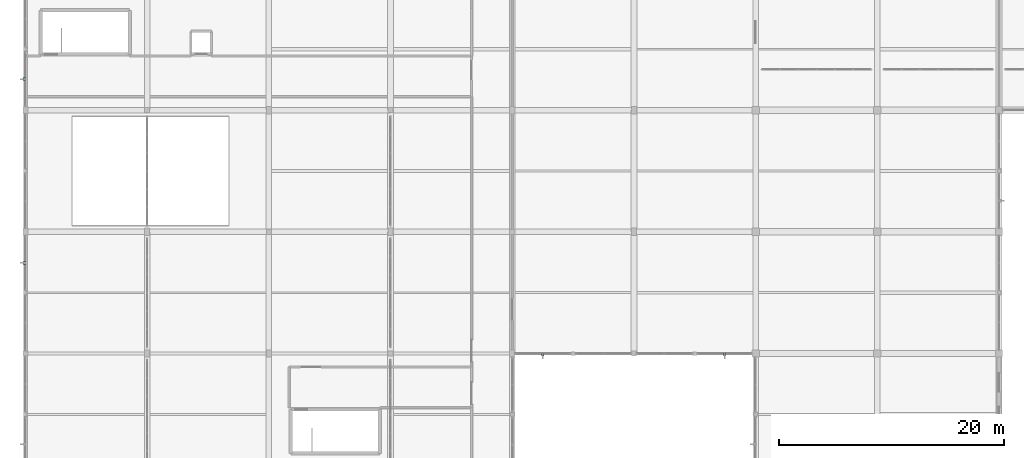
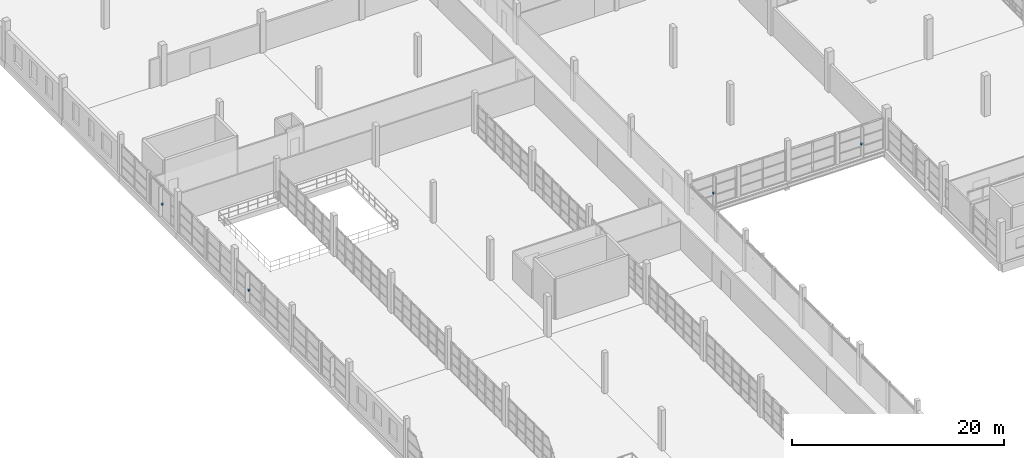
# One storey, part 123 of 142: 4 discrete accessories.
"""IFC4 building model written with IfcOpenShell, lengths in metres."""

from ifc_helpers import new_model, si_unit, direction, frame, origin, origin_2d, place, context, subcontext, project, spatial, rectangle, extrude, material, type_object, element, save


model = new_model("IFC4")

# Units and contexts
model_context = context("Model", 3, precision=1e-05, world=origin(), true_north=direction((0.0, 1.0)))
body_context = subcontext(model_context, "Body", "Model", "MODEL_VIEW")
ifc_project = project(units=[si_unit("LENGTHUNIT", "METRE"), si_unit("AREAUNIT", "SQUARE_METRE"), si_unit("VOLUMEUNIT", "CUBIC_METRE"), si_unit("PLANEANGLEUNIT", "RADIAN"), si_unit("MASSUNIT", "GRAM", prefix="KILO")], contexts=[model_context])

# Site, building, storey
site_placement = place(None, origin())
site = spatial("IfcSite", under=ifc_project, at=site_placement, CompositionType="ELEMENT")
building_placement = place(site_placement, origin())
building = spatial("IfcBuilding", under=site, at=building_placement, Name="Zwinboog Wholesale Market", CompositionType="ELEMENT")
storey_placement = place(building_placement, frame((0.0, 0.0, 5.39990234375)))
storey = spatial("IfcBuildingStorey", under=building, at=storey_placement, Name="L01", CompositionType="ELEMENT", Elevation=5.39990234375)

# Discrete accessories
ifc_material = material(Name="Steel S355", Category="steel")
discrete_accessory_type = type_object("IfcDiscreteAccessoryType", Name="ACC-BRK-S355", PredefinedType="BRACKET", material=ifc_material)
for number, where, z_axis, x_axis, name in (
    (1, (-0.074951171875, 72.840087890625, 1.31005859375), (0.0, 0.0, 1.0), (1.0, 0.0, 0.0), "BK-01 (ACC-FBRK-019)"),
    (2, (-0.090087890625, 89.159912109375, 1.31005859375), (0.0, 0.0, 1.0), (1.0, 0.0, 0.0), "BK-01 (ACC-FBRK-020)"),
    (3, (45.909912109375, 64.7099609375, 1.31005859375), (0.0, 0.0, 1.0), (1.0, 0.0, 0.0), "BK-01 (ACC-FBRK-026)"),
    (4, (62.0400390625, 64.72509765625, 1.31005859375), (0.0, 0.0, 1.0), (1.0, 0.0, 0.0), "BK-01 (ACC-FBRK-027)"),
):
    element("IfcDiscreteAccessory", number, at=place(storey_placement, frame(where, z_axis=z_axis, x_axis=x_axis)), inside=storey, type_object=discrete_accessory_type, Name=name, PredefinedType="BRACKET", context=body_context, shape_type="SweptSolid", body=[
        extrude(rectangle(XDim=0.239990234375, YDim=0.239990234375, at=origin_2d()), origin(), (0.0, 0.0, 1.0), 0.179931640625),
    ])

save(model, "model.ifc")
